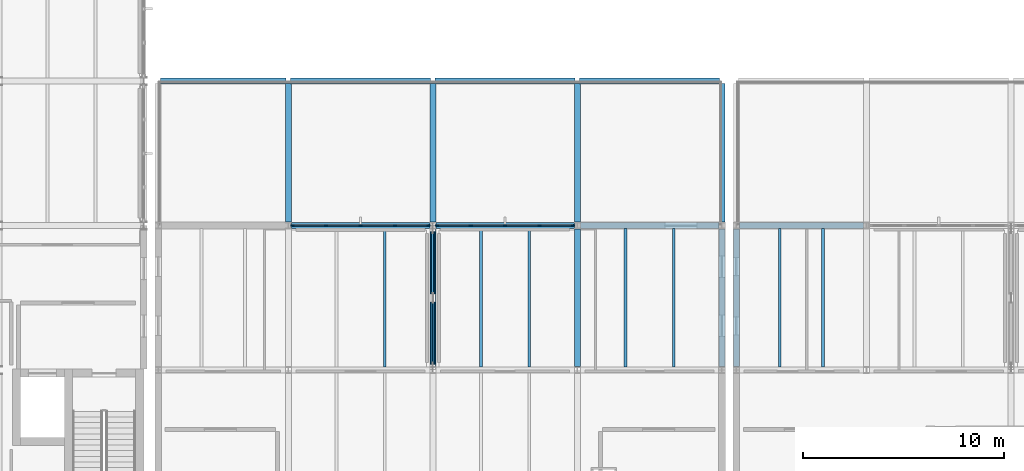
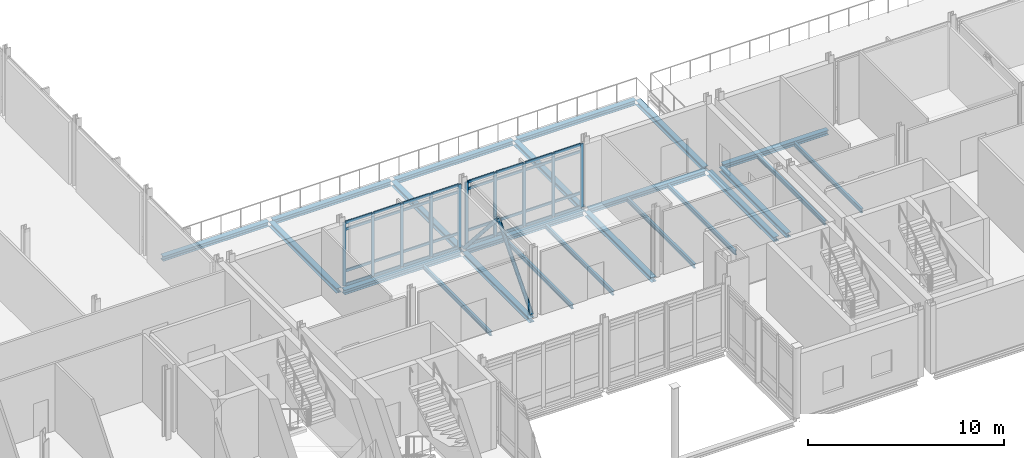
# One storey, part 11 of 53: 44 members, 23 beams, 2 elements without a shape of their own.
"""IFC4 building model written with IfcOpenShell, lengths in metres."""

from ifc_helpers import new_model, si_unit, direction, frame, origin, origin_2d, place, context, subcontext, project, spatial, rectangle, hollow_circle, i_section, extrude, material, layer, layer_set, material_profile, profile_set, type_object, element, aggregate, save


model = new_model("IFC4")

# Units and contexts
model_context = context("Model", 3, precision=1e-05, world=origin(), true_north=direction((0.0, 1.0)))
body_context = subcontext(model_context, "Body", "Model", "MODEL_VIEW")
ifc_project = project(units=[si_unit("LENGTHUNIT", "METRE"), si_unit("AREAUNIT", "SQUARE_METRE"), si_unit("VOLUMEUNIT", "CUBIC_METRE"), si_unit("PLANEANGLEUNIT", "RADIAN"), si_unit("MASSUNIT", "GRAM", prefix="KILO")], contexts=[model_context])

# Site, building, storey
site_placement = place(None, origin())
site = spatial("IfcSite", under=ifc_project, at=site_placement, CompositionType="ELEMENT")
building_placement = place(site_placement, origin())
building = spatial("IfcBuilding", under=site, at=building_placement, Name="Zarrinpeak Specialist Clinic", CompositionType="ELEMENT")
storey_placement = place(building_placement, frame((0.0, 0.0, 14.0)))
storey = spatial("IfcBuildingStorey", under=building, at=storey_placement, Name="L03", CompositionType="ELEMENT", Elevation=14.0)

# Beams
ifc_material_1 = material(Name="Steel S355", Category="steel")
ifc_material_profile_1 = material_profile(ifc_material_1, i_section(OverallWidth=0.300048828125, OverallDepth=0.2900390625, WebThickness=0.008544921875, FlangeThickness=0.013916015625, FilletRadius=0.027099609375, at=origin_2d()), Name="HEA 300")
ifc_profile_set_1 = profile_set([ifc_material_profile_1], Name="Steel S355")
beam_type_1 = type_object("IfcBeamType", Name="BM-HEA300", PredefinedType="BEAM", material=ifc_profile_set_1)
for number, where, z_axis, x_axis, name in (
    (1, (36.14794921875, 21.60009765625, -0.344970703125), (1.0, 0.0, 0.0), (0.0, 1.0, 0.0), "L03 Primary Floor Girder BM-L03-X1518"),
    (2, (43.347900390625, 21.60009765625, -0.344970703125), (1.0, 0.0, 0.0), (0.0, 1.0, 0.0), "L03 Primary Floor Girder BM-L03-X1519"),
):
    element("IfcBeam", number, at=place(storey_placement, frame(where, z_axis=z_axis, x_axis=x_axis)), inside=storey, type_object=beam_type_1, Name=name, PredefinedType="BEAM", context=body_context, shape_type="SweptSolid", body=[
        extrude(i_section(OverallWidth=0.300048828125, OverallDepth=0.2900390625, WebThickness=0.008544921875, FlangeThickness=0.013916015625, FilletRadius=0.027099609375, at=origin_2d()), origin(), (0.0, 0.0, 1.0), 6.904052734375),
    ])
beam_1_placement = place(storey_placement, frame((50.548095703125, 21.60009765625, -0.344970703125), z_axis=(1.0, 0.0, 0.0), x_axis=(0.0, 1.0, 0.0)))
element("IfcBeam", 3, at=beam_1_placement, inside=storey, type_object=beam_type_1, Name="L03 Primary Floor Girder BM-L03-X1520", PredefinedType="BEAM", context=body_context, shape_type="SweptSolid", body=[
    extrude(i_section(OverallWidth=0.300048828125, OverallDepth=0.2900390625, WebThickness=0.008544921875, FlangeThickness=0.013916015625, FilletRadius=0.027099609375, at=origin_2d()), origin(), (0.0, 0.0, 1.0), 6.90380859375),
])
beam_2_placement = place(storey_placement, frame((58.468017578125, 21.60009765625, -0.344970703125), z_axis=(1.0, 0.0, 0.0), x_axis=(0.0, 1.0, 0.0)))
element("IfcBeam", 4, at=beam_2_placement, inside=storey, type_object=beam_type_1, Name="L03 Primary Floor Girder BM-L03-X1521", PredefinedType="BEAM", context=body_context, shape_type="SweptSolid", body=[
    extrude(i_section(OverallWidth=0.300048828125, OverallDepth=0.2900390625, WebThickness=0.008544921875, FlangeThickness=0.013916015625, FilletRadius=0.027099609375, at=origin_2d()), origin(), (0.0, 0.0, 1.0), 6.18408203125),
])
beam_3_placement = place(storey_placement, frame((29.637939453125, 28.800048828125, -0.340087890625), z_axis=(1.0, 0.0, 0.0), x_axis=(0.0, 1.0, 0.0)))
element("IfcBeam", 5, at=beam_3_placement, inside=storey, type_object=beam_type_1, Name="L03 Primary Floor Girder BM-L03-X1529", PredefinedType="BEAM", context=body_context, shape_type="SweptSolid", body=[
    extrude(i_section(OverallWidth=0.300048828125, OverallDepth=0.2900390625, WebThickness=0.008544921875, FlangeThickness=0.013916015625, FilletRadius=0.027099609375, at=origin_2d()), origin(), (0.0, 0.0, 1.0), 6.244140625),
])
beam_4_placement = place(storey_placement, frame((36.117919921875, 28.800048828125, -0.340087890625), z_axis=(1.0, 0.0, 0.0), x_axis=(0.0, 1.0, 0.0)))
element("IfcBeam", 6, at=beam_4_placement, inside=storey, type_object=beam_type_1, Name="L03 Primary Floor Girder BM-L03-X1530", PredefinedType="BEAM", context=body_context, shape_type="SweptSolid", body=[
    extrude(i_section(OverallWidth=0.300048828125, OverallDepth=0.2900390625, WebThickness=0.008544921875, FlangeThickness=0.013916015625, FilletRadius=0.027099609375, at=origin_2d()), origin(), (0.0, 0.0, 1.0), 6.964111328125),
])
for number, where, z_axis, x_axis, name in (
    (7, (43.318115234375, 28.800048828125, -0.340087890625), (1.0, 0.0, 0.0), (0.0, 1.0, 0.0), "L03 Primary Floor Girder BM-L03-X1531"),
    (8, (50.51806640625, 28.800048828125, -0.340087890625), (1.0, 0.0, 0.0), (0.0, 1.0, 0.0), "L03 Primary Floor Girder BM-L03-X1532"),
):
    element("IfcBeam", number, at=place(storey_placement, frame(where, z_axis=z_axis, x_axis=x_axis)), inside=storey, type_object=beam_type_1, Name=name, PredefinedType="BEAM", context=body_context, shape_type="SweptSolid", body=[
        extrude(i_section(OverallWidth=0.300048828125, OverallDepth=0.2900390625, WebThickness=0.008544921875, FlangeThickness=0.013916015625, FilletRadius=0.027099609375, at=origin_2d()), origin(), (0.0, 0.0, 1.0), 6.9638671875),
    ])
beam_5_placement = place(storey_placement, frame((36.0, 21.778076171875, -0.340087890625), z_axis=(0.0, 1.0, 0.0), x_axis=(-1.0, 0.0, 0.0)))
element("IfcBeam", 9, at=beam_5_placement, inside=storey, type_object=beam_type_1, Name="L03 Primary Beam BM-L03-Y1648", PredefinedType="BEAM", context=body_context, shape_type="SweptSolid", body=[
    extrude(i_section(OverallWidth=0.300048828125, OverallDepth=0.2900390625, WebThickness=0.008544921875, FlangeThickness=0.013916015625, FilletRadius=0.027099609375, at=origin_2d()), origin(), (0.0, 0.0, 1.0), 6.90380859375),
])
beam_6_placement = place(storey_placement, frame((43.199951171875, 14.577880859375, -0.344970703125), z_axis=(0.0, 1.0, 0.0), x_axis=(-1.0, 0.0, 0.0)))
element("IfcBeam", 10, at=beam_6_placement, inside=storey, type_object=beam_type_1, Name="L03 Primary Beam BM-L03-Y1653", PredefinedType="BEAM", context=body_context, shape_type="SweptSolid", body=[
    extrude(i_section(OverallWidth=0.300048828125, OverallDepth=0.2900390625, WebThickness=0.008544921875, FlangeThickness=0.013916015625, FilletRadius=0.027099609375, at=origin_2d()), origin(), (0.0, 0.0, 1.0), 6.84423828125),
])
beam_7_placement = place(storey_placement, frame((43.199951171875, 21.778076171875, -0.340087890625), z_axis=(0.0, 1.0, 0.0), x_axis=(-1.0, 0.0, 0.0)))
element("IfcBeam", 11, at=beam_7_placement, inside=storey, type_object=beam_type_1, Name="L03 Primary Beam BM-L03-Y1654", PredefinedType="BEAM", context=body_context, shape_type="SweptSolid", body=[
    extrude(i_section(OverallWidth=0.300048828125, OverallDepth=0.2900390625, WebThickness=0.008544921875, FlangeThickness=0.013916015625, FilletRadius=0.027099609375, at=origin_2d()), origin(), (0.0, 0.0, 1.0), 6.90380859375),
])
beam_8_placement = place(storey_placement, frame((50.39990234375, 14.577880859375, -0.344970703125), z_axis=(0.0, 1.0, 0.0), x_axis=(-1.0, 0.0, 0.0)))
element("IfcBeam", 12, at=beam_8_placement, inside=storey, type_object=beam_type_1, Name="L03 Primary Beam BM-L03-Y1662", PredefinedType="BEAM", context=body_context, shape_type="SweptSolid", body=[
    extrude(i_section(OverallWidth=0.300048828125, OverallDepth=0.2900390625, WebThickness=0.008544921875, FlangeThickness=0.013916015625, FilletRadius=0.027099609375, at=origin_2d()), origin(), (0.0, 0.0, 1.0), 6.84423828125),
])
beam_9_placement = place(storey_placement, frame((50.39990234375, 21.778076171875, -0.340087890625), z_axis=(0.0, 1.0, 0.0), x_axis=(-1.0, 0.0, 0.0)))
element("IfcBeam", 13, at=beam_9_placement, inside=storey, type_object=beam_type_1, Name="L03 Primary Beam BM-L03-Y1663", PredefinedType="BEAM", context=body_context, shape_type="SweptSolid", body=[
    extrude(i_section(OverallWidth=0.300048828125, OverallDepth=0.2900390625, WebThickness=0.008544921875, FlangeThickness=0.013916015625, FilletRadius=0.027099609375, at=origin_2d()), origin(), (0.0, 0.0, 1.0), 6.90380859375),
])
beam_10_placement = place(storey_placement, frame((57.60009765625, 14.577880859375, -0.344970703125), z_axis=(0.0, 1.0, 0.0), x_axis=(-1.0, 0.0, 0.0)))
element("IfcBeam", 14, at=beam_10_placement, inside=storey, type_object=beam_type_1, Name="L03 Primary Beam BM-L03-Y1669", PredefinedType="BEAM", context=body_context, shape_type="SweptSolid", body=[
    extrude(i_section(OverallWidth=0.300048828125, OverallDepth=0.2900390625, WebThickness=0.008544921875, FlangeThickness=0.013916015625, FilletRadius=0.027099609375, at=origin_2d()), origin(), (0.0, 0.0, 1.0), 6.84423828125),
])
beam_11_placement = place(storey_placement, frame((57.60009765625, 21.778076171875, -0.340087890625), z_axis=(0.0, 1.0, 0.0), x_axis=(-1.0, 0.0, 0.0)))
element("IfcBeam", 15, at=beam_11_placement, inside=storey, type_object=beam_type_1, Name="L03 Primary Beam BM-L03-Y1670", PredefinedType="BEAM", context=body_context, shape_type="SweptSolid", body=[
    extrude(i_section(OverallWidth=0.300048828125, OverallDepth=0.2900390625, WebThickness=0.008544921875, FlangeThickness=0.013916015625, FilletRadius=0.027099609375, at=origin_2d()), origin(), (0.0, 0.0, 1.0), 6.90380859375),
])
beam_12_placement = place(storey_placement, frame((58.320068359375, 14.577880859375, -0.344970703125), z_axis=(0.0, 1.0, 0.0), x_axis=(-1.0, 0.0, 0.0)))
element("IfcBeam", 16, at=beam_12_placement, inside=storey, type_object=beam_type_1, Name="L03 Primary Beam BM-L03-Y1676", PredefinedType="BEAM", context=body_context, shape_type="SweptSolid", body=[
    extrude(i_section(OverallWidth=0.300048828125, OverallDepth=0.2900390625, WebThickness=0.008544921875, FlangeThickness=0.013916015625, FilletRadius=0.027099609375, at=origin_2d()), origin(), (0.0, 0.0, 1.0), 6.84423828125),
])
ifc_material_profile_2 = material_profile(ifc_material_1, i_section(OverallWidth=0.135009765625, OverallDepth=0.27001953125, WebThickness=0.006591796875, FlangeThickness=0.01025390625, FilletRadius=0.014892578125, at=origin_2d()), Name="IPE 270")
ifc_profile_set_2 = profile_set([ifc_material_profile_2], Name="Steel S355")
beam_type_2 = type_object("IfcBeamType", Name="BM-JST270", PredefinedType="JOIST", material=ifc_profile_set_2)
for number, where, z_axis, x_axis, name in (
    (17, (40.800048828125, 14.548095703125, -0.3349609375), (0.0, 1.0, 0.0), (-1.0, 0.0, 0.0), "L03 Composite Floor Joist JST-L03-1742"),
    (18, (45.60009765625, 14.548095703125, -0.3349609375), (0.0, 1.0, 0.0), (-1.0, 0.0, 0.0), "L03 Composite Floor Joist JST-L03-1745"),
    (19, (48.0, 14.548095703125, -0.3349609375), (0.0, 1.0, 0.0), (-1.0, 0.0, 0.0), "L03 Composite Floor Joist JST-L03-1746"),
    (20, (52.800048828125, 14.548095703125, -0.3349609375), (0.0, 1.0, 0.0), (-1.0, 0.0, 0.0), "L03 Composite Floor Joist JST-L03-1747"),
    (21, (55.199951171875, 14.548095703125, -0.3349609375), (0.0, 1.0, 0.0), (-1.0, 0.0, 0.0), "L03 Composite Floor Joist JST-L03-1748"),
    (22, (60.47998046875, 14.548095703125, -0.3349609375), (0.0, 1.0, 0.0), (-1.0, 0.0, 0.0), "L03 Composite Floor Joist JST-L03-1749"),
    (23, (62.639892578125, 14.548095703125, -0.3349609375), (0.0, 1.0, 0.0), (-1.0, 0.0, 0.0), "L03 Composite Floor Joist JST-L03-1750"),
):
    element("IfcBeam", number, at=place(storey_placement, frame(where, z_axis=z_axis, x_axis=x_axis)), inside=storey, type_object=beam_type_2, Name=name, PredefinedType="JOIST", context=body_context, shape_type="SweptSolid", body=[
        extrude(i_section(OverallWidth=0.135009765625, OverallDepth=0.27001953125, WebThickness=0.006591796875, FlangeThickness=0.01025390625, FilletRadius=0.014892578125, at=origin_2d()), origin(), (0.0, 0.0, 1.0), 6.90380859375),
    ])

# Curtain wall, members
ifc_material_2 = material(Name="Anodised Aluminium Alloy 6063-T6", Category="aluminium")
ifc_layer = layer(ifc_material_2, 0.179931640625)
ifc_layer_set = layer_set([ifc_layer], Name="Anodised Aluminium Alloy 6063-T6")
curtain_wall_type = type_object("IfcCurtainWallType", Name="CW-COURT", PredefinedType="NOTDEFINED", material=ifc_layer_set)
curtain_wall_1_placement = place(storey_placement, origin())
curtain_wall_1 = element("IfcCurtainWall", 24, at=curtain_wall_1_placement, inside=storey, type_object=curtain_wall_type, Name="L03 V2 Unitised Curtain Wall CW-L03-V2-061", PredefinedType="NOTDEFINED")
ifc_material_profile_3 = material_profile(ifc_material_2, rectangle(XDim=0.074951171875, YDim=0.179931640625, at=origin_2d()), Name="ALU 75x180")
ifc_profile_set_3 = profile_set([ifc_material_profile_3], Name="Anodised Aluminium Alloy 6063-T6")
member_type_1 = type_object("IfcMemberType", Name="CWM-75", PredefinedType="MULLION", material=ifc_profile_set_3)
member_1_placement = place(storey_placement, frame((42.987548828125, 21.60009765625, 0.0), z_axis=(0.0, 0.0, 1.0), x_axis=(0.0, -1.0, 0.0)))
member_1 = element("IfcMember", 25, at=member_1_placement, type_object=member_type_1, Name="CW-01 mullion 1", PredefinedType="MULLION", context=body_context, shape_type="SweptSolid", body=[
    extrude(rectangle(XDim=0.074951171875, YDim=0.179931640625, at=origin_2d()), origin(), (0.0, 0.0, 1.0), 3.93505859375),
])
member_2_placement = place(storey_placement, frame((41.3125, 21.60009765625, 0.0), z_axis=(0.0, 0.0, 1.0), x_axis=(0.0, -1.0, 0.0)))
member_2 = element("IfcMember", 26, at=member_2_placement, type_object=member_type_1, Name="CW-01 mullion 2", PredefinedType="MULLION", context=body_context, shape_type="SweptSolid", body=[
    extrude(rectangle(XDim=0.074951171875, YDim=0.179931640625, at=origin_2d()), origin(), (0.0, 0.0, 1.0), 3.93505859375),
])
member_3_placement = place(storey_placement, frame((39.60009765625, 21.60009765625, 0.0), z_axis=(0.0, 0.0, 1.0), x_axis=(0.0, -1.0, 0.0)))
member_3 = element("IfcMember", 27, at=member_3_placement, type_object=member_type_1, Name="CW-01 mullion 3", PredefinedType="MULLION", context=body_context, shape_type="SweptSolid", body=[
    extrude(rectangle(XDim=0.074951171875, YDim=0.179931640625, at=origin_2d()), origin(), (0.0, 0.0, 1.0), 3.93505859375),
])
member_4_placement = place(storey_placement, frame((37.887451171875, 21.60009765625, 0.0), z_axis=(0.0, 0.0, 1.0), x_axis=(0.0, -1.0, 0.0)))
member_4 = element("IfcMember", 28, at=member_4_placement, type_object=member_type_1, Name="CW-01 mullion 4", PredefinedType="MULLION", context=body_context, shape_type="SweptSolid", body=[
    extrude(rectangle(XDim=0.074951171875, YDim=0.179931640625, at=origin_2d()), origin(), (0.0, 0.0, 1.0), 3.93505859375),
])
member_5_placement = place(storey_placement, frame((36.21240234375, 21.60009765625, 0.0), z_axis=(0.0, 0.0, 1.0), x_axis=(0.0, -1.0, 0.0)))
member_5 = element("IfcMember", 29, at=member_5_placement, type_object=member_type_1, Name="CW-01 mullion 5", PredefinedType="MULLION", context=body_context, shape_type="SweptSolid", body=[
    extrude(rectangle(XDim=0.074951171875, YDim=0.179931640625, at=origin_2d()), origin(), (0.0, 0.0, 1.0), 3.93505859375),
])

curtain_wall_2_placement = place(storey_placement, origin())
curtain_wall_2 = element("IfcCurtainWall", 30, at=curtain_wall_2_placement, inside=storey, type_object=curtain_wall_type, Name="L03 V2 Unitised Curtain Wall CW-L03-V2-062", PredefinedType="NOTDEFINED")
member_6_placement = place(storey_placement, frame((50.1875, 21.60009765625, 0.0), z_axis=(0.0, 0.0, 1.0), x_axis=(0.0, -1.0, 0.0)))
member_6 = element("IfcMember", 31, at=member_6_placement, type_object=member_type_1, Name="CW-01 mullion 1", PredefinedType="MULLION", context=body_context, shape_type="SweptSolid", body=[
    extrude(rectangle(XDim=0.074951171875, YDim=0.179931640625, at=origin_2d()), origin(), (0.0, 0.0, 1.0), 3.93505859375),
])
member_7_placement = place(storey_placement, frame((48.512451171875, 21.60009765625, 0.0), z_axis=(0.0, 0.0, 1.0), x_axis=(0.0, -1.0, 0.0)))
member_7 = element("IfcMember", 32, at=member_7_placement, type_object=member_type_1, Name="CW-01 mullion 2", PredefinedType="MULLION", context=body_context, shape_type="SweptSolid", body=[
    extrude(rectangle(XDim=0.074951171875, YDim=0.179931640625, at=origin_2d()), origin(), (0.0, 0.0, 1.0), 3.93505859375),
])
member_8_placement = place(storey_placement, frame((46.800048828125, 21.60009765625, 0.0), z_axis=(0.0, 0.0, 1.0), x_axis=(0.0, -1.0, 0.0)))
member_8 = element("IfcMember", 33, at=member_8_placement, type_object=member_type_1, Name="CW-01 mullion 3", PredefinedType="MULLION", context=body_context, shape_type="SweptSolid", body=[
    extrude(rectangle(XDim=0.074951171875, YDim=0.179931640625, at=origin_2d()), origin(), (0.0, 0.0, 1.0), 3.93505859375),
])
member_9_placement = place(storey_placement, frame((45.08740234375, 21.60009765625, 0.0), z_axis=(0.0, 0.0, 1.0), x_axis=(0.0, -1.0, 0.0)))
member_9 = element("IfcMember", 34, at=member_9_placement, type_object=member_type_1, Name="CW-01 mullion 4", PredefinedType="MULLION", context=body_context, shape_type="SweptSolid", body=[
    extrude(rectangle(XDim=0.074951171875, YDim=0.179931640625, at=origin_2d()), origin(), (0.0, 0.0, 1.0), 3.93505859375),
])
member_10_placement = place(storey_placement, frame((43.41259765625, 21.60009765625, 0.0), z_axis=(0.0, 0.0, 1.0), x_axis=(0.0, -1.0, 0.0)))
member_10 = element("IfcMember", 35, at=member_10_placement, type_object=member_type_1, Name="CW-01 mullion 5", PredefinedType="MULLION", context=body_context, shape_type="SweptSolid", body=[
    extrude(rectangle(XDim=0.074951171875, YDim=0.179931640625, at=origin_2d()), origin(), (0.0, 0.0, 1.0), 3.93505859375),
])

# Member
ifc_material_profile_4 = material_profile(ifc_material_2, rectangle(XDim=0.074951171875, YDim=0.159912109375, at=origin_2d()), Name="ALU 75x160")
ifc_profile_set_4 = profile_set([ifc_material_profile_4], Name="Anodised Aluminium Alloy 6063-T6")
member_type_2 = type_object("IfcMemberType", Name="CWT-75", PredefinedType="USERDEFINED", material=ifc_profile_set_4)
member_11_placement = place(storey_placement, frame((42.949951171875, 21.60009765625, 0.03759765625), z_axis=(-1.0, 0.0, 0.0), x_axis=(0.0, -1.0, 0.0)))
member_11 = element("IfcMember", 36, at=member_11_placement, type_object=member_type_2, Name="CW-01 transom 1.1", ObjectType="TRANSOM", PredefinedType="USERDEFINED", context=body_context, shape_type="SweptSolid", body=[
    extrude(rectangle(XDim=0.074951171875, YDim=0.159912109375, at=origin_2d()), origin(), (0.0, 0.0, 1.0), 1.599853515625),
])

member_12_placement = place(storey_placement, frame((42.949951171875, 21.60009765625, 0.89990234375), z_axis=(-1.0, 0.0, 0.0), x_axis=(0.0, -1.0, 0.0)))
member_12 = element("IfcMember", 37, at=member_12_placement, type_object=member_type_2, Name="CW-01 transom 1.2", ObjectType="TRANSOM", PredefinedType="USERDEFINED", context=body_context, shape_type="SweptSolid", body=[
    extrude(rectangle(XDim=0.074951171875, YDim=0.159912109375, at=origin_2d()), origin(), (0.0, 0.0, 1.0), 1.599853515625),
])

member_13_placement = place(storey_placement, frame((42.949951171875, 21.60009765625, 3.485107421875), z_axis=(-1.0, 0.0, 0.0), x_axis=(0.0, -1.0, 0.0)))
member_13 = element("IfcMember", 38, at=member_13_placement, type_object=member_type_2, Name="CW-01 transom 1.3", ObjectType="TRANSOM", PredefinedType="USERDEFINED", context=body_context, shape_type="SweptSolid", body=[
    extrude(rectangle(XDim=0.074951171875, YDim=0.159912109375, at=origin_2d()), origin(), (0.0, 0.0, 1.0), 1.599853515625),
])

member_14_placement = place(storey_placement, frame((42.949951171875, 21.60009765625, 3.8974609375), z_axis=(-1.0, 0.0, 0.0), x_axis=(0.0, -1.0, 0.0)))
member_14 = element("IfcMember", 39, at=member_14_placement, type_object=member_type_2, Name="CW-01 transom 1.4", ObjectType="TRANSOM", PredefinedType="USERDEFINED", context=body_context, shape_type="SweptSolid", body=[
    extrude(rectangle(XDim=0.074951171875, YDim=0.159912109375, at=origin_2d()), origin(), (0.0, 0.0, 1.0), 1.599853515625),
])

member_15_placement = place(storey_placement, frame((41.27490234375, 21.60009765625, 0.03759765625), z_axis=(-1.0, 0.0, 0.0), x_axis=(0.0, -1.0, 0.0)))
member_15 = element("IfcMember", 40, at=member_15_placement, type_object=member_type_2, Name="CW-01 transom 2.1", ObjectType="TRANSOM", PredefinedType="USERDEFINED", context=body_context, shape_type="SweptSolid", body=[
    extrude(rectangle(XDim=0.074951171875, YDim=0.159912109375, at=origin_2d()), origin(), (0.0, 0.0, 1.0), 1.637451171875),
])

member_16_placement = place(storey_placement, frame((41.27490234375, 21.60009765625, 0.89990234375), z_axis=(-1.0, 0.0, 0.0), x_axis=(0.0, -1.0, 0.0)))
member_16 = element("IfcMember", 41, at=member_16_placement, type_object=member_type_2, Name="CW-01 transom 2.2", ObjectType="TRANSOM", PredefinedType="USERDEFINED", context=body_context, shape_type="SweptSolid", body=[
    extrude(rectangle(XDim=0.074951171875, YDim=0.159912109375, at=origin_2d()), origin(), (0.0, 0.0, 1.0), 1.637451171875),
])

member_17_placement = place(storey_placement, frame((41.27490234375, 21.60009765625, 3.485107421875), z_axis=(-1.0, 0.0, 0.0), x_axis=(0.0, -1.0, 0.0)))
member_17 = element("IfcMember", 42, at=member_17_placement, type_object=member_type_2, Name="CW-01 transom 2.3", ObjectType="TRANSOM", PredefinedType="USERDEFINED", context=body_context, shape_type="SweptSolid", body=[
    extrude(rectangle(XDim=0.074951171875, YDim=0.159912109375, at=origin_2d()), origin(), (0.0, 0.0, 1.0), 1.637451171875),
])

member_18_placement = place(storey_placement, frame((41.27490234375, 21.60009765625, 3.8974609375), z_axis=(-1.0, 0.0, 0.0), x_axis=(0.0, -1.0, 0.0)))
member_18 = element("IfcMember", 43, at=member_18_placement, type_object=member_type_2, Name="CW-01 transom 2.4", ObjectType="TRANSOM", PredefinedType="USERDEFINED", context=body_context, shape_type="SweptSolid", body=[
    extrude(rectangle(XDim=0.074951171875, YDim=0.159912109375, at=origin_2d()), origin(), (0.0, 0.0, 1.0), 1.637451171875),
])

member_19_placement = place(storey_placement, frame((39.5625, 21.60009765625, 0.03759765625), z_axis=(-1.0, 0.0, 0.0), x_axis=(0.0, -1.0, 0.0)))
member_19 = element("IfcMember", 44, at=member_19_placement, type_object=member_type_2, Name="CW-01 transom 3.1", ObjectType="TRANSOM", PredefinedType="USERDEFINED", context=body_context, shape_type="SweptSolid", body=[
    extrude(rectangle(XDim=0.074951171875, YDim=0.159912109375, at=origin_2d()), origin(), (0.0, 0.0, 1.0), 1.637451171875),
])

member_20_placement = place(storey_placement, frame((39.5625, 21.60009765625, 0.89990234375), z_axis=(-1.0, 0.0, 0.0), x_axis=(0.0, -1.0, 0.0)))
member_20 = element("IfcMember", 45, at=member_20_placement, type_object=member_type_2, Name="CW-01 transom 3.2", ObjectType="TRANSOM", PredefinedType="USERDEFINED", context=body_context, shape_type="SweptSolid", body=[
    extrude(rectangle(XDim=0.074951171875, YDim=0.159912109375, at=origin_2d()), origin(), (0.0, 0.0, 1.0), 1.637451171875),
])

member_21_placement = place(storey_placement, frame((39.5625, 21.60009765625, 3.485107421875), z_axis=(-1.0, 0.0, 0.0), x_axis=(0.0, -1.0, 0.0)))
member_21 = element("IfcMember", 46, at=member_21_placement, type_object=member_type_2, Name="CW-01 transom 3.3", ObjectType="TRANSOM", PredefinedType="USERDEFINED", context=body_context, shape_type="SweptSolid", body=[
    extrude(rectangle(XDim=0.074951171875, YDim=0.159912109375, at=origin_2d()), origin(), (0.0, 0.0, 1.0), 1.637451171875),
])

member_22_placement = place(storey_placement, frame((39.5625, 21.60009765625, 3.8974609375), z_axis=(-1.0, 0.0, 0.0), x_axis=(0.0, -1.0, 0.0)))
member_22 = element("IfcMember", 47, at=member_22_placement, type_object=member_type_2, Name="CW-01 transom 3.4", ObjectType="TRANSOM", PredefinedType="USERDEFINED", context=body_context, shape_type="SweptSolid", body=[
    extrude(rectangle(XDim=0.074951171875, YDim=0.159912109375, at=origin_2d()), origin(), (0.0, 0.0, 1.0), 1.637451171875),
])

member_23_placement = place(storey_placement, frame((37.85009765625, 21.60009765625, 0.03759765625), z_axis=(-1.0, 0.0, 0.0), x_axis=(0.0, -1.0, 0.0)))
member_23 = element("IfcMember", 48, at=member_23_placement, type_object=member_type_2, Name="CW-01 transom 4.1", ObjectType="TRANSOM", PredefinedType="USERDEFINED", context=body_context, shape_type="SweptSolid", body=[
    extrude(rectangle(XDim=0.074951171875, YDim=0.159912109375, at=origin_2d()), origin(), (0.0, 0.0, 1.0), 1.60009765625),
])

member_24_placement = place(storey_placement, frame((37.85009765625, 21.60009765625, 0.89990234375), z_axis=(-1.0, 0.0, 0.0), x_axis=(0.0, -1.0, 0.0)))
member_24 = element("IfcMember", 49, at=member_24_placement, type_object=member_type_2, Name="CW-01 transom 4.2", ObjectType="TRANSOM", PredefinedType="USERDEFINED", context=body_context, shape_type="SweptSolid", body=[
    extrude(rectangle(XDim=0.074951171875, YDim=0.159912109375, at=origin_2d()), origin(), (0.0, 0.0, 1.0), 1.60009765625),
])

member_25_placement = place(storey_placement, frame((37.85009765625, 21.60009765625, 3.485107421875), z_axis=(-1.0, 0.0, 0.0), x_axis=(0.0, -1.0, 0.0)))
member_25 = element("IfcMember", 50, at=member_25_placement, type_object=member_type_2, Name="CW-01 transom 4.3", ObjectType="TRANSOM", PredefinedType="USERDEFINED", context=body_context, shape_type="SweptSolid", body=[
    extrude(rectangle(XDim=0.074951171875, YDim=0.159912109375, at=origin_2d()), origin(), (0.0, 0.0, 1.0), 1.60009765625),
])

member_26_placement = place(storey_placement, frame((37.85009765625, 21.60009765625, 3.8974609375), z_axis=(-1.0, 0.0, 0.0), x_axis=(0.0, -1.0, 0.0)))
member_26 = element("IfcMember", 51, at=member_26_placement, type_object=member_type_2, Name="CW-01 transom 4.4", ObjectType="TRANSOM", PredefinedType="USERDEFINED", context=body_context, shape_type="SweptSolid", body=[
    extrude(rectangle(XDim=0.074951171875, YDim=0.159912109375, at=origin_2d()), origin(), (0.0, 0.0, 1.0), 1.60009765625),
])

aggregate(curtain_wall_1, [member_1, member_2, member_3, member_4, member_5, member_11, member_12, member_13, member_14, member_15, member_16, member_17, member_18, member_19, member_20, member_21, member_22, member_23, member_24, member_25, member_26])

member_27_placement = place(storey_placement, frame((50.14990234375, 21.60009765625, 0.03759765625), z_axis=(-1.0, 0.0, 0.0), x_axis=(0.0, -1.0, 0.0)))
member_27 = element("IfcMember", 52, at=member_27_placement, type_object=member_type_2, Name="CW-01 transom 1.1", ObjectType="TRANSOM", PredefinedType="USERDEFINED", context=body_context, shape_type="SweptSolid", body=[
    extrude(rectangle(XDim=0.074951171875, YDim=0.159912109375, at=origin_2d()), origin(), (0.0, 0.0, 1.0), 1.599853515625),
])

member_28_placement = place(storey_placement, frame((50.14990234375, 21.60009765625, 0.89990234375), z_axis=(-1.0, 0.0, 0.0), x_axis=(0.0, -1.0, 0.0)))
member_28 = element("IfcMember", 53, at=member_28_placement, type_object=member_type_2, Name="CW-01 transom 1.2", ObjectType="TRANSOM", PredefinedType="USERDEFINED", context=body_context, shape_type="SweptSolid", body=[
    extrude(rectangle(XDim=0.074951171875, YDim=0.159912109375, at=origin_2d()), origin(), (0.0, 0.0, 1.0), 1.599853515625),
])

member_29_placement = place(storey_placement, frame((50.14990234375, 21.60009765625, 3.485107421875), z_axis=(-1.0, 0.0, 0.0), x_axis=(0.0, -1.0, 0.0)))
member_29 = element("IfcMember", 54, at=member_29_placement, type_object=member_type_2, Name="CW-01 transom 1.3", ObjectType="TRANSOM", PredefinedType="USERDEFINED", context=body_context, shape_type="SweptSolid", body=[
    extrude(rectangle(XDim=0.074951171875, YDim=0.159912109375, at=origin_2d()), origin(), (0.0, 0.0, 1.0), 1.599853515625),
])

member_30_placement = place(storey_placement, frame((50.14990234375, 21.60009765625, 3.8974609375), z_axis=(-1.0, 0.0, 0.0), x_axis=(0.0, -1.0, 0.0)))
member_30 = element("IfcMember", 55, at=member_30_placement, type_object=member_type_2, Name="CW-01 transom 1.4", ObjectType="TRANSOM", PredefinedType="USERDEFINED", context=body_context, shape_type="SweptSolid", body=[
    extrude(rectangle(XDim=0.074951171875, YDim=0.159912109375, at=origin_2d()), origin(), (0.0, 0.0, 1.0), 1.599853515625),
])

member_31_placement = place(storey_placement, frame((48.47509765625, 21.60009765625, 0.03759765625), z_axis=(-1.0, 0.0, 0.0), x_axis=(0.0, -1.0, 0.0)))
member_31 = element("IfcMember", 56, at=member_31_placement, type_object=member_type_2, Name="CW-01 transom 2.1", ObjectType="TRANSOM", PredefinedType="USERDEFINED", context=body_context, shape_type="SweptSolid", body=[
    extrude(rectangle(XDim=0.074951171875, YDim=0.159912109375, at=origin_2d()), origin(), (0.0, 0.0, 1.0), 1.6376953125),
])

member_32_placement = place(storey_placement, frame((48.47509765625, 21.60009765625, 0.89990234375), z_axis=(-1.0, 0.0, 0.0), x_axis=(0.0, -1.0, 0.0)))
member_32 = element("IfcMember", 57, at=member_32_placement, type_object=member_type_2, Name="CW-01 transom 2.2", ObjectType="TRANSOM", PredefinedType="USERDEFINED", context=body_context, shape_type="SweptSolid", body=[
    extrude(rectangle(XDim=0.074951171875, YDim=0.159912109375, at=origin_2d()), origin(), (0.0, 0.0, 1.0), 1.6376953125),
])

member_33_placement = place(storey_placement, frame((48.47509765625, 21.60009765625, 3.485107421875), z_axis=(-1.0, 0.0, 0.0), x_axis=(0.0, -1.0, 0.0)))
member_33 = element("IfcMember", 58, at=member_33_placement, type_object=member_type_2, Name="CW-01 transom 2.3", ObjectType="TRANSOM", PredefinedType="USERDEFINED", context=body_context, shape_type="SweptSolid", body=[
    extrude(rectangle(XDim=0.074951171875, YDim=0.159912109375, at=origin_2d()), origin(), (0.0, 0.0, 1.0), 1.6376953125),
])

member_34_placement = place(storey_placement, frame((48.47509765625, 21.60009765625, 3.8974609375), z_axis=(-1.0, 0.0, 0.0), x_axis=(0.0, -1.0, 0.0)))
member_34 = element("IfcMember", 59, at=member_34_placement, type_object=member_type_2, Name="CW-01 transom 2.4", ObjectType="TRANSOM", PredefinedType="USERDEFINED", context=body_context, shape_type="SweptSolid", body=[
    extrude(rectangle(XDim=0.074951171875, YDim=0.159912109375, at=origin_2d()), origin(), (0.0, 0.0, 1.0), 1.6376953125),
])

member_35_placement = place(storey_placement, frame((46.762451171875, 21.60009765625, 0.03759765625), z_axis=(-1.0, 0.0, 0.0), x_axis=(0.0, -1.0, 0.0)))
member_35 = element("IfcMember", 60, at=member_35_placement, type_object=member_type_2, Name="CW-01 transom 3.1", ObjectType="TRANSOM", PredefinedType="USERDEFINED", context=body_context, shape_type="SweptSolid", body=[
    extrude(rectangle(XDim=0.074951171875, YDim=0.159912109375, at=origin_2d()), origin(), (0.0, 0.0, 1.0), 1.637451171875),
])

member_36_placement = place(storey_placement, frame((46.762451171875, 21.60009765625, 0.89990234375), z_axis=(-1.0, 0.0, 0.0), x_axis=(0.0, -1.0, 0.0)))
member_36 = element("IfcMember", 61, at=member_36_placement, type_object=member_type_2, Name="CW-01 transom 3.2", ObjectType="TRANSOM", PredefinedType="USERDEFINED", context=body_context, shape_type="SweptSolid", body=[
    extrude(rectangle(XDim=0.074951171875, YDim=0.159912109375, at=origin_2d()), origin(), (0.0, 0.0, 1.0), 1.637451171875),
])

member_37_placement = place(storey_placement, frame((46.762451171875, 21.60009765625, 3.485107421875), z_axis=(-1.0, 0.0, 0.0), x_axis=(0.0, -1.0, 0.0)))
member_37 = element("IfcMember", 62, at=member_37_placement, type_object=member_type_2, Name="CW-01 transom 3.3", ObjectType="TRANSOM", PredefinedType="USERDEFINED", context=body_context, shape_type="SweptSolid", body=[
    extrude(rectangle(XDim=0.074951171875, YDim=0.159912109375, at=origin_2d()), origin(), (0.0, 0.0, 1.0), 1.637451171875),
])

member_38_placement = place(storey_placement, frame((46.762451171875, 21.60009765625, 3.8974609375), z_axis=(-1.0, 0.0, 0.0), x_axis=(0.0, -1.0, 0.0)))
member_38 = element("IfcMember", 63, at=member_38_placement, type_object=member_type_2, Name="CW-01 transom 3.4", ObjectType="TRANSOM", PredefinedType="USERDEFINED", context=body_context, shape_type="SweptSolid", body=[
    extrude(rectangle(XDim=0.074951171875, YDim=0.159912109375, at=origin_2d()), origin(), (0.0, 0.0, 1.0), 1.637451171875),
])

member_39_placement = place(storey_placement, frame((45.050048828125, 21.60009765625, 0.03759765625), z_axis=(-1.0, 0.0, 0.0), x_axis=(0.0, -1.0, 0.0)))
member_39 = element("IfcMember", 64, at=member_39_placement, type_object=member_type_2, Name="CW-01 transom 4.1", ObjectType="TRANSOM", PredefinedType="USERDEFINED", context=body_context, shape_type="SweptSolid", body=[
    extrude(rectangle(XDim=0.074951171875, YDim=0.159912109375, at=origin_2d()), origin(), (0.0, 0.0, 1.0), 1.60009765625),
])

member_40_placement = place(storey_placement, frame((45.050048828125, 21.60009765625, 0.89990234375), z_axis=(-1.0, 0.0, 0.0), x_axis=(0.0, -1.0, 0.0)))
member_40 = element("IfcMember", 65, at=member_40_placement, type_object=member_type_2, Name="CW-01 transom 4.2", ObjectType="TRANSOM", PredefinedType="USERDEFINED", context=body_context, shape_type="SweptSolid", body=[
    extrude(rectangle(XDim=0.074951171875, YDim=0.159912109375, at=origin_2d()), origin(), (0.0, 0.0, 1.0), 1.60009765625),
])

member_41_placement = place(storey_placement, frame((45.050048828125, 21.60009765625, 3.485107421875), z_axis=(-1.0, 0.0, 0.0), x_axis=(0.0, -1.0, 0.0)))
member_41 = element("IfcMember", 66, at=member_41_placement, type_object=member_type_2, Name="CW-01 transom 4.3", ObjectType="TRANSOM", PredefinedType="USERDEFINED", context=body_context, shape_type="SweptSolid", body=[
    extrude(rectangle(XDim=0.074951171875, YDim=0.159912109375, at=origin_2d()), origin(), (0.0, 0.0, 1.0), 1.60009765625),
])

member_42_placement = place(storey_placement, frame((45.050048828125, 21.60009765625, 3.8974609375), z_axis=(-1.0, 0.0, 0.0), x_axis=(0.0, -1.0, 0.0)))
member_42 = element("IfcMember", 67, at=member_42_placement, type_object=member_type_2, Name="CW-01 transom 4.4", ObjectType="TRANSOM", PredefinedType="USERDEFINED", context=body_context, shape_type="SweptSolid", body=[
    extrude(rectangle(XDim=0.074951171875, YDim=0.159912109375, at=origin_2d()), origin(), (0.0, 0.0, 1.0), 1.60009765625),
])

aggregate(curtain_wall_2, [member_6, member_7, member_8, member_9, member_10, member_27, member_28, member_29, member_30, member_31, member_32, member_33, member_34, member_35, member_36, member_37, member_38, member_39, member_40, member_41, member_42])

# Members
ifc_material_profile_5 = material_profile(ifc_material_1, hollow_circle(Radius=0.109619140625, WallThickness=0.010009765625, at=origin_2d()), Name="CHS 219.1x10.0")
ifc_profile_set_5 = profile_set([ifc_material_profile_5], Name="Steel S355")
member_type_3 = type_object("IfcMemberType", Name="MB-BR219", PredefinedType="BRACE", material=ifc_profile_set_5)
for number, where, z_axis, x_axis, name in (
    (68, (43.199951171875, 14.56005859375, 0.0048828125), (0.0, 0.661008531114, 0.750378385746), (-1.0, 0.0, 0.0), "V2 L03 Seismic Concentric Brace CBF-021"),
    (69, (43.199951171875, 21.43994140625, 0.0048828125), (0.0, -0.661008531114, 0.750378385746), (1.0, 0.0, 0.0), "V2 L03 Seismic Concentric Brace CBF-022"),
):
    element("IfcMember", number, at=place(storey_placement, frame(where, z_axis=z_axis, x_axis=x_axis)), inside=storey, type_object=member_type_3, Name=name, PredefinedType="BRACE", context=body_context, shape_type="SweptSolid", body=[
        extrude(hollow_circle(Radius=0.109619140625, WallThickness=0.010009765625, at=origin_2d()), origin(), (0.0, 0.0, 1.0), 5.2041015625),
    ])

save(model, "model.ifc")
